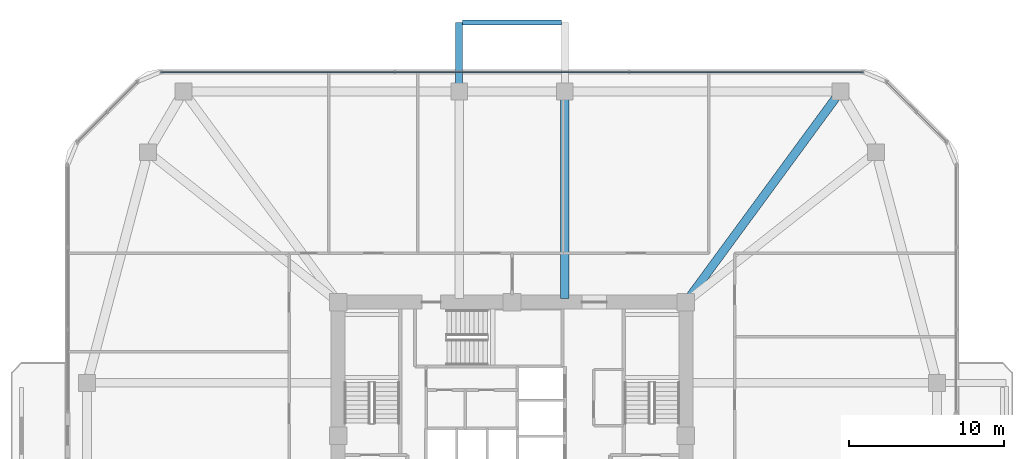
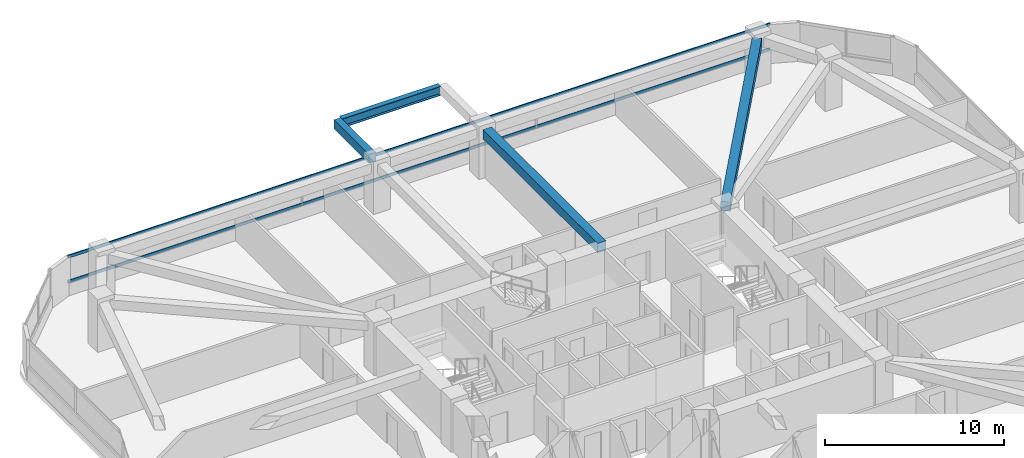
# One storey, part 7 of 15: 4 beams, 2 members, 1 element without a shape of its own.
"""IFC4 building model written with IfcOpenShell, lengths in metres."""

from ifc_helpers import new_model, si_unit, derived_unit, direction, frame, origin, origin_2d, place, context, subcontext, project, spatial, rectangle, i_section, extrude, material, material_profile, profile_set, type_object, element, aggregate, save


model = new_model("IFC4")

# Units and contexts
model_context = context("Model", 3, precision=1e-05, world=origin(), true_north=direction((0.0, 1.0)))
body_context = subcontext(model_context, "Body", "Model", "MODEL_VIEW")
ifc_project = project(units=[si_unit("LENGTHUNIT", "METRE"), si_unit("AREAUNIT", "SQUARE_METRE"), si_unit("VOLUMEUNIT", "CUBIC_METRE"), si_unit("PLANEANGLEUNIT", "RADIAN"), si_unit("MASSUNIT", "GRAM", prefix="KILO"), derived_unit("THERMALTRANSMITTANCEUNIT", [(si_unit("POWERUNIT", "WATT"), 1), (si_unit("LENGTHUNIT", "METRE"), -2), (si_unit("THERMODYNAMICTEMPERATUREUNIT", "KELVIN"), -1)])], contexts=[model_context])

# Site, building, storey
site_placement = place(None, origin())
site = spatial("IfcSite", under=ifc_project, at=site_placement, CompositionType="ELEMENT")
building_placement = place(site_placement, origin())
building = spatial("IfcBuilding", under=site, at=building_placement, Name="Koralith Skygarden Medical Center", CompositionType="ELEMENT")
storey_placement = place(building_placement, frame((0.0, 0.0, 56.340087890625)))
storey = spatial("IfcBuildingStorey", under=building, at=storey_placement, Name="L14", CompositionType="ELEMENT", Elevation=56.340087890625)

# Curtain wall, members
ifc_material_1 = material(Name="Clear Laminated Glass", Category="glass")
curtain_wall_type = type_object("IfcCurtainWallType", Name="CW-2 Zone 1 Hurricane Unitised Curtain Wall", PredefinedType="NOTDEFINED", material=ifc_material_1)
curtain_wall_placement = place(storey_placement, origin())
curtain_wall = element("IfcCurtainWall", 1, at=curtain_wall_placement, inside=storey, type_object=curtain_wall_type, Name="Curtain Wall CW-L14-N", PredefinedType="NOTDEFINED")
ifc_material_2 = material(Name="Aluminium 6063-T6", Category="aluminium")
ifc_material_profile_1 = material_profile(ifc_material_2, rectangle(XDim=0.06591796875, YDim=0.197998046875, at=origin_2d()), Name="TRN66X198")
ifc_profile_set_1 = profile_set([ifc_material_profile_1], Name="Aluminium 6063-T6")
member_type = type_object("IfcMemberType", Name="CW-2 Thermal Transom 66x198", PredefinedType="USERDEFINED", material=ifc_profile_set_1)
member_1_placement = place(storey_placement, frame((59.64501953125, 49.320068359375, 0.89990234375), z_axis=(-1.0, 0.0, 0.0), x_axis=(0.0, -1.0, 0.0)))
member_1 = element("IfcMember", 2, at=member_1_placement, type_object=member_type, Name="CW-L14-N Transom 1", ObjectType="TRANSOM", PredefinedType="USERDEFINED", context=body_context, shape_type="SweptSolid", body=[
    extrude(rectangle(XDim=0.06591796875, YDim=0.197998046875, at=origin_2d()), origin(), (0.0, 0.0, 1.0), 45.2900390625),
])
member_2_placement = place(storey_placement, frame((59.64501953125, 49.320068359375, 2.599853515625), z_axis=(-1.0, 0.0, 0.0), x_axis=(0.0, -1.0, 0.0)))
member_2 = element("IfcMember", 3, at=member_2_placement, type_object=member_type, Name="CW-L14-N Transom 2", ObjectType="TRANSOM", PredefinedType="USERDEFINED", context=body_context, shape_type="SweptSolid", body=[
    extrude(rectangle(XDim=0.06591796875, YDim=0.197998046875, at=origin_2d()), origin(), (0.0, 0.0, 1.0), 45.2900390625),
])
aggregate(curtain_wall, [member_1, member_2])

# Beams
ifc_material_3 = material(Name="Steel ASTM A992 Grade 50", Category="steel")
ifc_material_profile_2 = material_profile(ifc_material_3, i_section(OverallWidth=0.326904296875, OverallDepth=0.6220703125, WebThickness=0.015380859375, FlangeThickness=0.0244140625, at=origin_2d()), Name="W24X131")
ifc_profile_set_2 = profile_set([ifc_material_profile_2], Name="Steel ASTM A992 Grade 50")
beam_type_1 = type_object("IfcBeamType", Name="Cantilever Tie Beam W24X131", PredefinedType="BEAM", material=ifc_profile_set_2)
beam_1_placement = place(storey_placement, frame((33.820068359375, 52.52001953125, 3.02880859375), z_axis=(1.0, 0.0, 0.0), x_axis=(0.0, 1.0, 0.0)))
element("IfcBeam", 4, at=beam_1_placement, inside=storey, type_object=beam_type_1, Name="L15 N Balcony Tip Tie Beam", PredefinedType="BEAM", context=body_context, shape_type="SweptSolid", body=[
    extrude(i_section(OverallWidth=0.326904296875, OverallDepth=0.6220703125, WebThickness=0.015380859375, FlangeThickness=0.0244140625, at=origin_2d()), origin(), (0.0, 0.0, 1.0), 6.35986328125),
])
ifc_material_4 = material(Name="Concrete C45/55", Category="concrete")
ifc_material_profile_3 = material_profile(ifc_material_4, rectangle(XDim=0.449951171875, YDim=0.60009765625, at=origin_2d()), Name="RCB450X600")
ifc_profile_set_3 = profile_set([ifc_material_profile_3], Name="Concrete C45/55")
beam_type_2 = type_object("IfcBeamType", Name="Planted Balcony Cantilever Beam RCB450X600", PredefinedType="BEAM", material=ifc_profile_set_3)
beam_2_placement = place(storey_placement, frame((33.60009765625, 48.60009765625, 3.039794921875), z_axis=(0.0, 1.0, 0.0), x_axis=(-1.0, 0.0, 0.0)))
element("IfcBeam", 5, at=beam_2_placement, inside=storey, type_object=beam_type_2, Name="L15 N Balcony Cantilever Beam A", PredefinedType="BEAM", context=body_context, shape_type="SweptSolid", body=[
    extrude(rectangle(XDim=0.449951171875, YDim=0.60009765625, at=origin_2d()), origin(), (0.0, 0.0, 1.0), 3.919921875),
])
ifc_material_profile_4 = material_profile(ifc_material_4, rectangle(XDim=0.550048828125, YDim=0.639892578125, at=origin_2d()), Name="RCB550X640")
ifc_profile_set_4 = profile_set([ifc_material_profile_4], Name="Concrete C45/55")
beam_type_3 = type_object("IfcBeamType", Name="Radial Collector Beam RCB550X640", PredefinedType="BEAM", material=ifc_profile_set_4)
beam_3_placement = place(storey_placement, frame((48.347900390625, 34.701904296875, 3.0), z_axis=(0.591710803277, 0.806150311843, 0.0), x_axis=(-0.806150311843, 0.591710803277, 0.0)))
element("IfcBeam", 6, at=beam_3_placement, inside=storey, type_object=beam_type_3, Name="L14 Radial Collector Beam RB-11", PredefinedType="BEAM", context=body_context, shape_type="SweptSolid", body=[
    extrude(rectangle(XDim=0.550048828125, YDim=0.639892578125, at=origin_2d()), origin(), (0.0, 0.0, 1.0), 16.0654296875),
])
beam_4_placement = place(storey_placement, frame((40.39990234375, 34.75, 3.0), z_axis=(0.0, 1.0, 0.0), x_axis=(-1.0, 0.0, 0.0)))
element("IfcBeam", 7, at=beam_4_placement, inside=storey, type_object=beam_type_3, Name="L14 Radial Collector Beam RB-12", PredefinedType="BEAM", context=body_context, shape_type="SweptSolid", body=[
    extrude(rectangle(XDim=0.550048828125, YDim=0.639892578125, at=origin_2d()), origin(), (0.0, 0.0, 1.0), 12.800048828125),
])

save(model, "model.ifc")
